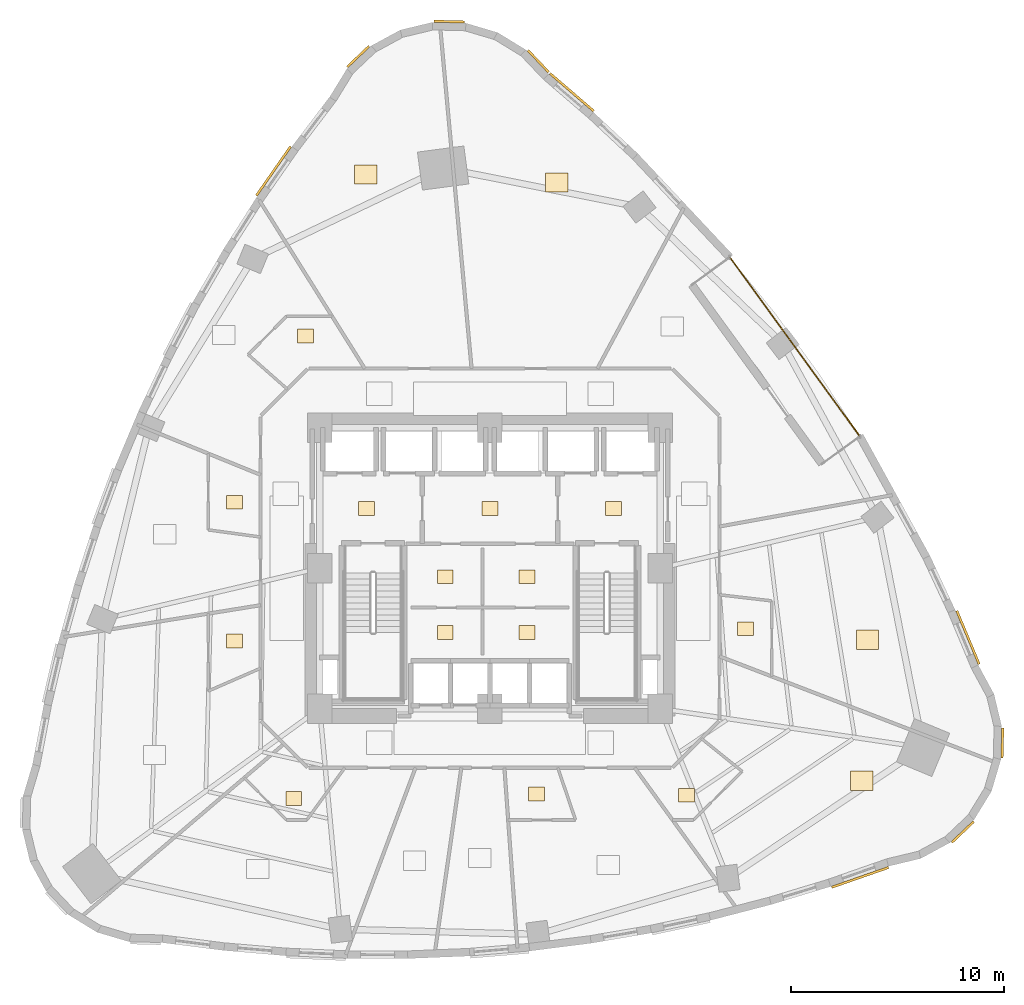
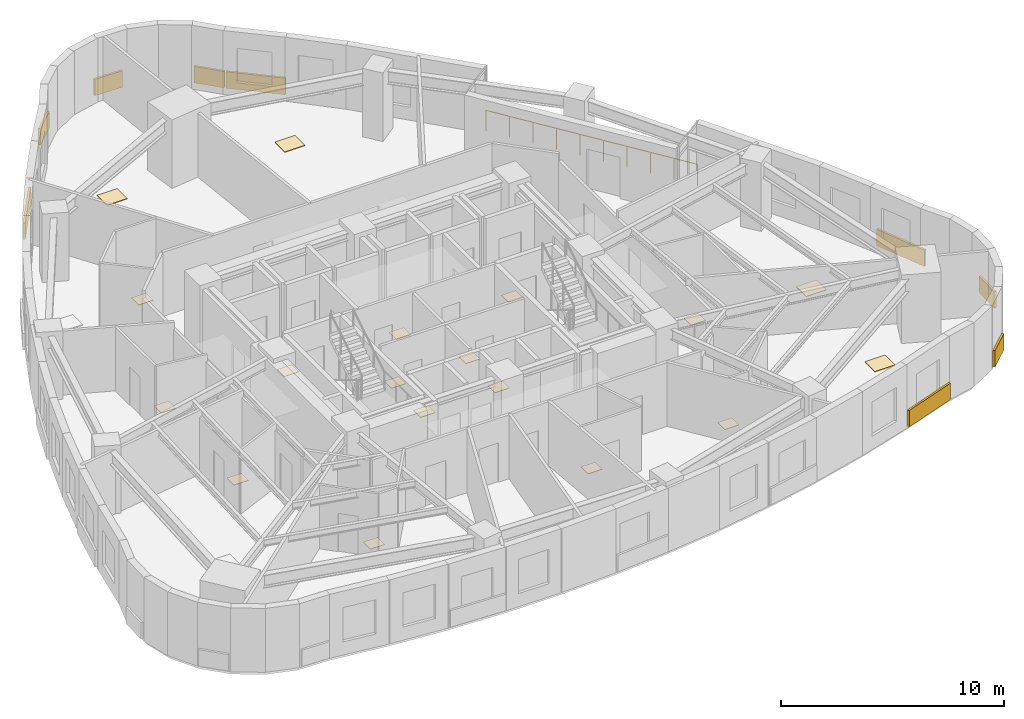
# One storey, part 15 of 15: 27 coverings, 1 railing.
"""IFC4 building model written with IfcOpenShell, lengths in metres."""

import ifcopenshell
import ifcopenshell.guid

model = None  # the IFC model being written
_history = None  # IfcOwnerHistory: only IFC2X3 demands one
_inside = {}  # id of a spatial element -> (the spatial element, [elements in it])
_under = {}  # id of a project, library or spatial element -> (it, [spatial elements below it])
_declared = {}  # id of a project -> (the project, [libraries it declares])
_typed = {}  # id of a type object -> (the type object, [elements of that type])
_made_of = {}  # id of a material, layer set ... -> (it, [elements and type objects made of it])


def new_model(schema):
    """Start an empty IFC model of exactly this schema.

    Asked for "IFC4X3", IfcOpenShell would pick the latest addendum, in which some entities
    have other attributes; the version numbers below select the first issue.
    IFC2X3 requires an IfcOwnerHistory on every rooted entity: one is made here for all.
    """
    global model, _history
    if schema == "IFC4X3":
        model = ifcopenshell.file(schema_version=(4, 3, 0, 0))
    else:
        model = ifcopenshell.file(schema=schema)
    _inside.clear()
    _under.clear()
    _declared.clear()
    _typed.clear()
    _made_of.clear()
    _history = None
    if model.schema == "IFC2X3":
        org = make("IfcOrganization", Name="unknown")
        user = make(
            "IfcPersonAndOrganization",
            ThePerson=make("IfcPerson", FamilyName="unknown"),
            TheOrganization=org,
        )
        app = make(
            "IfcApplication",
            ApplicationDeveloper=org,
            Version="unknown",
            ApplicationFullName="unknown",
            ApplicationIdentifier="unknown",
        )
        _history = make(
            "IfcOwnerHistory",
            OwningUser=user,
            OwningApplication=app,
            ChangeAction="ADDED",
            CreationDate=0,
        )
    return model


def make(cls, **values):
    """One entity of the class cls with the attributes given. An attribute that is None is left unset."""
    return model.create_entity(
        cls, **{name: value for name, value in values.items() if value is not None}
    )


def rooted(cls, **values):
    """An entity with a GlobalId (a new one), such as an element, a storey or a relation."""
    return make(cls, GlobalId=ifcopenshell.guid.new(), OwnerHistory=_history, **values)


def si_unit(unit_type, name, prefix=None):
    """IfcSIUnit, for example si_unit("LENGTHUNIT", "METRE", prefix="MILLI")."""
    return make("IfcSIUnit", UnitType=unit_type, Prefix=prefix, Name=name)


def assignment(units):
    """IfcUnitAssignment: the units of a project."""
    return None if units is None else make("IfcUnitAssignment", Units=units)


def point(xyz):
    """IfcCartesianPoint."""
    return None if xyz is None else make("IfcCartesianPoint", Coordinates=xyz)


def direction(xyz):
    """IfcDirection."""
    return None if xyz is None else make("IfcDirection", DirectionRatios=xyz)


def frame(location, z_axis=None, x_axis=None):
    """IfcAxis2Placement3D, a coordinate frame: its origin and axes. An axis left out is left unset."""
    return make(
        "IfcAxis2Placement3D",
        Location=point(location),
        Axis=direction(z_axis),
        RefDirection=direction(x_axis),
    )


def frame_2d(location, x_axis=None):
    """IfcAxis2Placement2D, a coordinate frame in the plane: its origin and x axis."""
    return make(
        "IfcAxis2Placement2D", Location=point(location), RefDirection=direction(x_axis)
    )


def origin():
    """The frame at (0, 0, 0) with its axes left unset."""
    return frame((0.0, 0.0, 0.0))


def origin_2d():
    """The frame at (0, 0) in the plane with its x axis left unset."""
    return frame_2d((0.0, 0.0))


def place(relative_to, where):
    """IfcLocalPlacement: puts the frame where relative to a parent placement (None: the world)."""
    return make(
        "IfcLocalPlacement", PlacementRelTo=relative_to, RelativePlacement=where
    )


def context(
    kind, dimensions, precision=None, world=None, true_north=None, identifier=None
):
    """IfcGeometricRepresentationContext, for example the 3D "Model" context."""
    return make(
        "IfcGeometricRepresentationContext",
        ContextIdentifier=identifier,
        ContextType=kind,
        CoordinateSpaceDimension=dimensions,
        Precision=precision,
        WorldCoordinateSystem=world,
        TrueNorth=true_north,
    )


def subcontext(parent, identifier, kind, view, scale=None):
    """IfcGeometricRepresentationSubContext, for example "Body" below "Model"."""
    return make(
        "IfcGeometricRepresentationSubContext",
        ContextIdentifier=identifier,
        ContextType=kind,
        ParentContext=parent,
        TargetScale=scale,
        TargetView=view,
    )


def project(units=None, contexts=None):
    """IfcProject with its units and contexts."""
    return rooted(
        "IfcProject",
        Name="project",
        RepresentationContexts=contexts,
        UnitsInContext=assignment(units),
    )


def spatial(cls, under=None, at=None, **own):
    """A site, building, storey or space (cls), placed at a placement, below another one or the project."""
    s = rooted(cls, ObjectPlacement=at, **own)
    if under is not None:
        _under.setdefault(under.id(), (under, []))[1].append(s)
    return s


def profile(cls, at=None, kind="AREA", **sizes):
    """A parametric profile (cls). Its sizes go by their IFC names, for example OverallWidth=200.0."""
    return make(cls, ProfileType=kind, Position=at, **sizes)


def rectangle(**sizes):
    """IfcRectangleProfileDef."""
    return profile("IfcRectangleProfileDef", **sizes)


def circle(**sizes):
    """IfcCircleProfileDef."""
    return profile("IfcCircleProfileDef", **sizes)


def extrude(swept, where, along, depth):
    """IfcExtrudedAreaSolid: the profile swept, set in the frame where, extruded along a direction by depth."""
    return make(
        "IfcExtrudedAreaSolid",
        SweptArea=swept,
        Position=where,
        ExtrudedDirection=direction(along),
        Depth=depth,
    )


def shape(context_of_items, identifier, shape_type, items):
    """IfcShapeRepresentation: the items that make up one representation, for example the "Body"."""
    return make(
        "IfcShapeRepresentation",
        ContextOfItems=context_of_items,
        RepresentationIdentifier=identifier,
        RepresentationType=shape_type,
        Items=items,
    )


def material(Name=None, Category=None):
    """IfcMaterial."""
    return make("IfcMaterial", Name=Name, Category=Category)


def layer(
    of_material, thickness, ventilated=None, Name=None, Category=None, Priority=None
):
    """IfcMaterialLayer: one layer of a wall or slab, of a material (None: an air gap)."""
    return make(
        "IfcMaterialLayer",
        Material=of_material,
        LayerThickness=thickness,
        IsVentilated=ventilated,
        Name=Name,
        Category=Category,
        Priority=Priority,
    )


def layer_set(layers, Name=None):
    """IfcMaterialLayerSet."""
    return make("IfcMaterialLayerSet", MaterialLayers=layers, LayerSetName=Name)


def made_of(thing, what):
    """Note that an element or type object is made of a material, layer set ...; save() writes the relation."""
    if what is not None:
        _made_of.setdefault(what.id(), (what, []))[1].append(thing)
    return thing


def type_object(cls, material=None, **own):
    """A type object (cls), such as IfcWallType, which elements share."""
    return made_of(rooted(cls, **own), material)


def element(
    cls,
    number,
    at=None,
    inside=None,
    cuts=None,
    type_object=None,
    material=None,
    context=None,
    identifier="Body",
    shape_type=None,
    held_by="IfcProductDefinitionShape",
    body=None,
    shapes=None,
    **own,
):
    """One element of the class cls, such as IfcWall. Its Tag is "e" and its number.

    at: its placement. inside: the storey or other place that contains it. cuts: it is an
    opening in that element (IfcRelVoidsElement). A single representation is given by context,
    identifier, shape_type and body (its items); several are given by shapes. held_by: the class
    of the entity that holds the representations. save() writes the other relations.
    """
    e = rooted(cls, Tag="e%d" % number, ObjectPlacement=at, **own)
    if body is not None:
        shapes = [shape(context, identifier, shape_type, body)]
    if shapes is not None:
        e.Representation = make(held_by, Representations=shapes)
    if inside is not None:
        _inside.setdefault(inside.id(), (inside, []))[1].append(e)
    if cuts is not None:
        rooted(
            "IfcRelVoidsElement", RelatingBuildingElement=cuts, RelatedOpeningElement=e
        )
    if type_object is not None:
        _typed.setdefault(type_object.id(), (type_object, []))[1].append(e)
    return made_of(e, material)


def aggregate(whole, parts):
    """IfcRelAggregates: a whole, such as a stair, and the parts it consists of."""
    return rooted("IfcRelAggregates", RelatingObject=whole, RelatedObjects=parts)


def save(model, path):
    """Write the relations noted so far, then the file.

    IfcRelAggregates (storeys below a building ...), IfcRelContainedInSpatialStructure (elements
    in a storey), IfcRelDefinesByType, IfcRelAssociatesMaterial and IfcRelDeclares: one each for
    every whole, place, type object, material and project.
    """
    for whole, parts in _under.values():
        aggregate(whole, parts)
    for where, things in _inside.values():
        rooted(
            "IfcRelContainedInSpatialStructure",
            RelatedElements=things,
            RelatingStructure=where,
        )
    for kind, things in _typed.values():
        rooted("IfcRelDefinesByType", RelatedObjects=things, RelatingType=kind)
    for what, things in _made_of.values():
        rooted("IfcRelAssociatesMaterial", RelatedObjects=things, RelatingMaterial=what)
    for by, libraries in _declared.values():
        rooted("IfcRelDeclares", RelatingContext=by, RelatedDefinitions=libraries)
    model.write(path)


model = new_model("IFC4")

# Units and contexts
model_context = context("Model", 3, precision=1e-05, world=origin(), true_north=direction((0.0, 1.0)))
body_context = subcontext(model_context, "Body", "Model", "MODEL_VIEW")
ifc_project = project(units=[si_unit("LENGTHUNIT", "METRE"), si_unit("AREAUNIT", "SQUARE_METRE"), si_unit("VOLUMEUNIT", "CUBIC_METRE"), si_unit("PLANEANGLEUNIT", "RADIAN"), si_unit("MASSUNIT", "GRAM", prefix="KILO")], contexts=[model_context])

# Site, building, storey
site_placement = place(None, origin())
site = spatial("IfcSite", under=ifc_project, at=site_placement, CompositionType="ELEMENT")
building_placement = place(site_placement, origin())
building = spatial("IfcBuilding", under=site, at=building_placement, Name="Ndelora Gate Hotel", CompositionType="ELEMENT")
storey_placement = place(building_placement, frame((0.0, 0.0, 53.0)))
storey = spatial("IfcBuildingStorey", under=building, at=storey_placement, Name="L12", CompositionType="ELEMENT", Elevation=53.0)

# Coverings
ifc_material_1 = material(Name="Terracotta Fired Clay Brick Slip Cladding", Category="masonry")
ifc_layer_1 = layer(ifc_material_1, 0.110107421875)
ifc_layer_set_1 = layer_set([ifc_layer_1], Name="Terracotta Fired Clay Brick Slip Cladding")
covering_type_1 = type_object("IfcCoveringType", Name="COV-CLAD-BRK", PredefinedType="CLADDING", material=ifc_layer_set_1)
for number, where, z_axis, x_axis, name in (
    (1, (2.27001953125, 23.818359375, 0.10009765625), (0.0, 0.0, 1.0), (-0.688354575694, 0.725374371012, 0.0), "L12 Rounded-Corner Brick Cladding Band 1"),
    (2, (-1.913818359375, 25.68115234375, 0.10009765625), (0.0, 0.0, 1.0), (-0.999657324976, 0.026176948308, 0.0), "L12 Rounded-Corner Brick Cladding Band 4"),
    (3, (-6.189453125, 24.039794921875, 0.10009765625), (0.0, 0.0, 1.0), (0.725374371012, 0.688354575694, 0.0), "L12 Rounded-Corner Brick Cladding Band 7"),
):
    element("IfcCovering", number, at=place(storey_placement, frame(where, z_axis=z_axis, x_axis=x_axis)), inside=storey, type_object=covering_type_1, Name=name, PredefinedType="CLADDING", context=body_context, shape_type="SweptSolid", body=[
        extrude(rectangle(XDim=1.4140625, YDim=0.110107421875, at=origin_2d()), origin(), (0.0, 0.0, 1.0), 0.89990234375),
    ])
covering_1_placement = place(storey_placement, frame((-10.170166015625, 18.65966796875, 0.10009765625), z_axis=(0.0, 0.0, 1.0), x_axis=(0.572002721226, 0.820251721675, 0.0)))
element("IfcCovering", 4, at=covering_1_placement, inside=storey, type_object=covering_type_1, Name="L12 Rounded-Corner Brick Cladding Band 10", PredefinedType="CLADDING", context=body_context, shape_type="SweptSolid", body=[
    extrude(rectangle(XDim=2.81103515625, YDim=0.110107421875, at=origin_2d()), origin(), (0.0, 0.0, 1.0), 0.89990234375),
])
covering_2_placement = place(storey_placement, frame((17.39208984375, -14.529052734375, 0.10009765625), z_axis=(0.0, 0.0, 1.0), x_axis=(0.944204046619, 0.329361075947, 0.0)))
element("IfcCovering", 5, at=covering_2_placement, inside=storey, type_object=covering_type_1, Name="L12 Rounded-Corner Brick Cladding Band 40", PredefinedType="CLADDING", context=body_context, shape_type="SweptSolid", body=[
    extrude(rectangle(XDim=2.8369140625, YDim=0.110107421875, at=origin_2d()), origin(), (0.0, 0.0, 1.0), 0.89990234375),
])
for number, where, z_axis, x_axis, name in (
    (6, (22.21435546875, -12.397216796875, 0.10009765625), (0.0, 0.0, 1.0), (0.725374371012, 0.688354575694, 0.0), "L12 Rounded-Corner Brick Cladding Band 43"),
    (7, (24.0771484375, -8.213134765625, 0.10009765625), (0.0, 0.0, 1.0), (0.026176948308, 0.999657324976, 0.0), "L12 Rounded-Corner Brick Cladding Band 46"),
):
    element("IfcCovering", number, at=place(storey_placement, frame(where, z_axis=z_axis, x_axis=x_axis)), inside=storey, type_object=covering_type_1, Name=name, PredefinedType="CLADDING", context=body_context, shape_type="SweptSolid", body=[
        extrude(rectangle(XDim=1.4140625, YDim=0.110107421875, at=origin_2d()), origin(), (0.0, 0.0, 1.0), 0.89990234375),
    ])
for number, where, z_axis, x_axis, name in (
    (8, (22.45849609375, -3.256591796875, 0.10009765625), (0.0, 0.0, 1.0), (-0.38622804535, 0.922403326634, 0.0), "L12 Rounded-Corner Brick Cladding Band 49"),
    (9, (3.8427734375, 22.365478515625, 0.10009765625), (0.0, 0.0, 1.0), (-0.75790666473, 0.652363002904, 0.0), "L12 Rounded-Corner Brick Cladding Band 58"),
):
    element("IfcCovering", number, at=place(storey_placement, frame(where, z_axis=z_axis, x_axis=x_axis)), inside=storey, type_object=covering_type_1, Name=name, PredefinedType="CLADDING", context=body_context, shape_type="SweptSolid", body=[
        extrude(rectangle(XDim=2.719970703125, YDim=0.110107421875, at=origin_2d()), origin(), (0.0, 0.0, 1.0), 0.89990234375),
    ])
ifc_material_2 = material(Name="Engineered Highland Oak Parquet", Category="wood")
ifc_layer_2 = layer(ifc_material_2, 0.030029296875)
ifc_layer_set_2 = layer_set([ifc_layer_2], Name="Engineered Highland Oak Parquet")
covering_type_2 = type_object("IfcCoveringType", Name="COV-FLR-PARQ", PredefinedType="FLOORING", material=ifc_layer_set_2)
for number, where, z_axis, x_axis, name in (
    (10, (17.472412109375, -9.987060546875, 0.0), (0.0, 0.0, 1.0), (1.0, 0.0, 0.0), "L12 Deluxe King Junior Suite 1502 Oak Parquet Flooring"),
    (11, (17.73876953125, -3.36279296875, 0.0), (0.0, 0.0, 1.0), (1.0, 0.0, 0.0), "L12 Twin Junior Suite 1503 Oak Parquet Flooring"),
    (12, (3.144287109375, 18.12158203125, 0.0), (0.0, 0.0, 1.0), (1.0, 0.0, 0.0), "L12 Private Dining Room Oak Parquet Flooring"),
    (13, (-5.843994140625, 18.503173828125, 0.0), (0.0, 0.0, 1.0), (1.0, 0.0, 0.0), "L12 Catering Service Kitchen Oak Parquet Flooring"),
):
    element("IfcCovering", number, at=place(storey_placement, frame(where, z_axis=z_axis, x_axis=x_axis)), inside=storey, type_object=covering_type_2, Name=name, PredefinedType="FLOORING", context=body_context, shape_type="SweptSolid", body=[
        extrude(rectangle(XDim=1.050048828125, YDim=0.89990234375, at=origin_2d()), origin(), (0.0, 0.0, 1.0), 0.030029296875),
    ])
ifc_material_3 = material(Name="Non-Slip Porcelain Wet-Room Tile", Category="ceramic")
ifc_layer_3 = layer(ifc_material_3, 0.02490234375)
ifc_layer_set_3 = layer_set([ifc_layer_3], Name="Non-Slip Porcelain Wet-Room Tile")
covering_type_3 = type_object("IfcCoveringType", Name="COV-FLR-TILE", PredefinedType="FLOORING", material=ifc_layer_set_3)
for number, where, z_axis, x_axis, name in (
    (14, (-5.800048828125, 2.800048828125, 0.0), (0.0, 0.0, 1.0), (1.0, 0.0, 0.0), "L12 Firefighting Lift Lobby West Porcelain Tile Flooring"),
    (15, (5.800048828125, 2.800048828125, 0.0), (0.0, 0.0, 1.0), (1.0, 0.0, 0.0), "L12 Firefighting Lift Lobby East Porcelain Tile Flooring"),
    (16, (0.0, 2.800048828125, 0.0), (0.0, 0.0, 1.0), (1.0, 0.0, 0.0), "L12 Central Passenger Lift Lobby Porcelain Tile Flooring"),
    (17, (-2.10009765625, -0.39990234375, 0.0), (0.0, 0.0, 1.0), (1.0, 0.0, 0.0), "L12 Core Electrical Closet Porcelain Tile Flooring"),
    (18, (1.75, -0.39990234375, 0.0), (0.0, 0.0, 1.0), (1.0, 0.0, 0.0), "L12 Comms Patching Store Porcelain Tile Flooring"),
    (19, (-2.10009765625, -3.02490234375, 0.0), (0.0, 0.0, 1.0), (1.0, 0.0, 0.0), "L12 Valet Laundry Store Porcelain Tile Flooring"),
    (20, (1.75, -3.02490234375, 0.0), (0.0, 0.0, 1.0), (1.0, 0.0, 0.0), "L12 Housekeeping Reserve Store Porcelain Tile Flooring"),
    (21, (2.1845703125, -10.60498046875, 0.0), (0.0, 0.0, 1.0), (1.0, 0.0, 0.0), "L12 En-suite Bathroom 1501 Porcelain Tile Flooring"),
    (22, (9.227783203125, -10.66943359375, 0.0), (0.0, 0.0, 1.0), (1.0, 0.0, 0.0), "L12 En-suite Bathroom 1502 Porcelain Tile Flooring"),
    (23, (12.0048828125, -2.8427734375, 0.0), (0.0, 0.0, 1.0), (1.0, 0.0, 0.0), "L12 En-suite Bathroom 1503 Porcelain Tile Flooring"),
    (24, (-8.6572265625, 10.913330078125, 0.0), (0.0, 0.0, 1.0), (1.0, 0.0, 0.0), "L12 En-suite Bathroom 1504 Porcelain Tile Flooring"),
    (25, (-12.0048828125, 3.095458984375, 0.0), (0.0, 0.0, 1.0), (1.0, 0.0, 0.0), "L12 En-suite Bathroom 1505 Porcelain Tile Flooring"),
    (26, (-12.0048828125, -3.422607421875, 0.0), (0.0, 0.0, 1.0), (1.0, 0.0, 0.0), "L12 En-suite Bathroom 1506 Porcelain Tile Flooring"),
    (27, (-9.21826171875, -10.8212890625, 0.0), (0.0, 0.0, 1.0), (1.0, 0.0, 0.0), "L12 En-suite Bathroom 1507 Porcelain Tile Flooring"),
):
    element("IfcCovering", number, at=place(storey_placement, frame(where, z_axis=z_axis, x_axis=x_axis)), inside=storey, type_object=covering_type_3, Name=name, PredefinedType="FLOORING", context=body_context, shape_type="SweptSolid", body=[
        extrude(rectangle(XDim=0.75, YDim=0.64990234375, at=origin_2d()), origin(), (0.0, 0.0, 1.0), 0.02490234375),
    ])

# Railing
ifc_material_4 = material(Name="Laminated Safety Glass and Bronze Top Rail", Category="glass")
ifc_layer_4 = layer(ifc_material_4, 0.070068359375)
ifc_layer_set_4 = layer_set([ifc_layer_4], Name="Laminated Safety Glass and Bronze Top Rail")
railing_type = type_object("IfcRailingType", Name="RL-BAL-1150", PredefinedType="BALUSTRADE", material=ifc_layer_set_4)
railing_placement = place(storey_placement, frame((17.37744140625, 6.197998046875, 0.0)))
element("IfcRailing", 28, at=railing_placement, inside=storey, type_object=railing_type, Name="L12 Sky-Garden Loggia Terrace Balustrade", PredefinedType="BALUSTRADE", context=body_context, shape_type="SweptSolid", body=[
    extrude(circle(Radius=0.02392578125, at=origin_2d()), frame((0.0, 0.0, 1.1357421875), z_axis=(-0.587787785243, 0.809015154073, 0.0), x_axis=(-0.809015154073, -0.587787785243, 0.0)), (0.0, 0.0, 1.0), 10.400146484375),
    extrude(circle(Radius=0.02099609375, at=origin_2d()), origin(), (0.0, 0.0, 1.0), 1.11181640625),
    extrude(circle(Radius=0.02099609375, at=origin_2d()), frame((-0.67919921875, 0.934814453125, 0.0)), (0.0, 0.0, 1.0), 1.11181640625),
    extrude(circle(Radius=0.02099609375, at=origin_2d()), frame((-1.3583984375, 1.86962890625, 0.0)), (0.0, 0.0, 1.0), 1.11181640625),
    extrude(circle(Radius=0.02099609375, at=origin_2d()), frame((-2.03759765625, 2.8046875, 0.0)), (0.0, 0.0, 1.0), 1.11181640625),
    extrude(circle(Radius=0.02099609375, at=origin_2d()), frame((-2.716796875, 3.739501953125, 0.0)), (0.0, 0.0, 1.0), 1.11181640625),
    extrude(circle(Radius=0.02099609375, at=origin_2d()), frame((-3.396240234375, 4.67431640625, 0.0)), (0.0, 0.0, 1.0), 1.11181640625),
    extrude(circle(Radius=0.02099609375, at=origin_2d()), frame((-4.075439453125, 5.609130859375, 0.0)), (0.0, 0.0, 1.0), 1.11181640625),
    extrude(circle(Radius=0.02099609375, at=origin_2d()), frame((-4.754638671875, 6.544189453125, 0.0)), (0.0, 0.0, 1.0), 1.11181640625),
    extrude(circle(Radius=0.02099609375, at=origin_2d()), frame((-5.433837890625, 7.47900390625, 0.0)), (0.0, 0.0, 1.0), 1.11181640625),
    extrude(circle(Radius=0.02099609375, at=origin_2d()), frame((-6.113037109375, 8.413818359375, 0.0)), (0.0, 0.0, 1.0), 1.11181640625),
])

save(model, "model.ifc")
